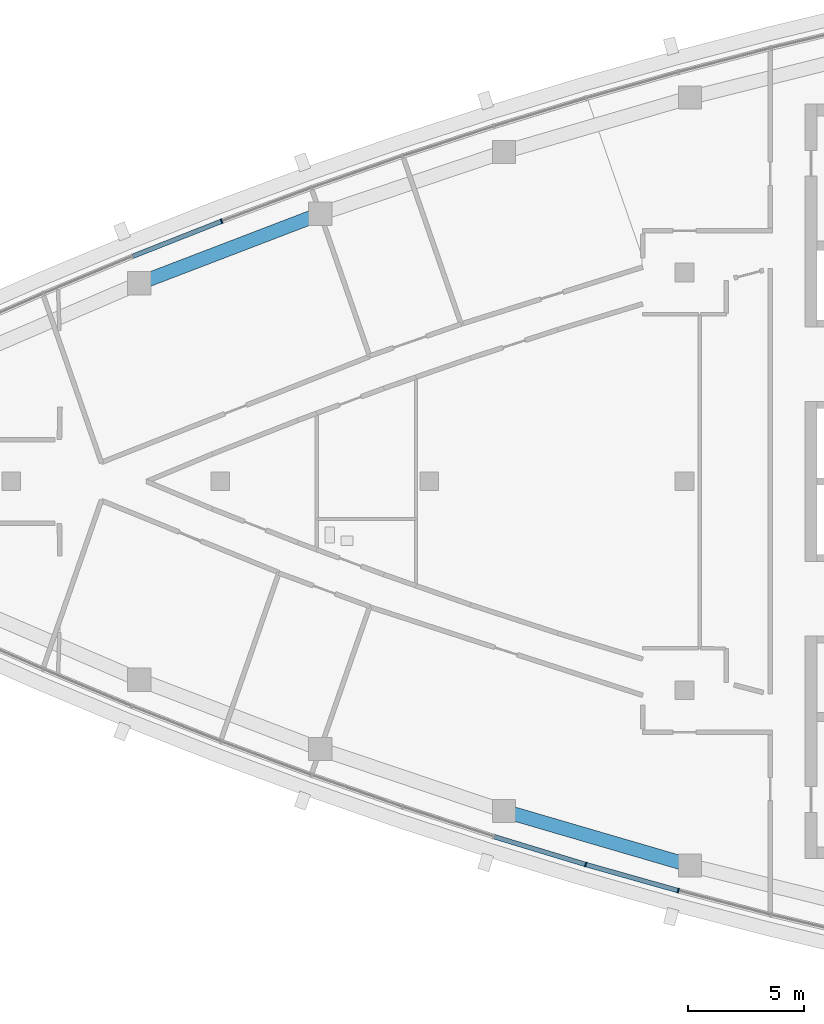
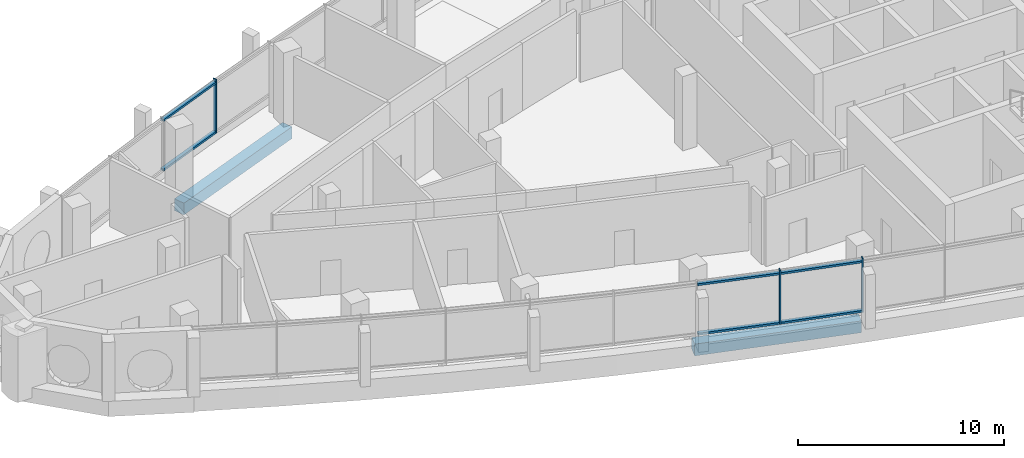
# One storey, part 3 of 15: 9 members, 2 beams, 2 elements without a shape of their own.
"""IFC4 building model written with IfcOpenShell, lengths in metres."""

from ifc_helpers import new_model, si_unit, direction, frame, origin, origin_2d, place, context, subcontext, project, spatial, rectangle, extrude, material, layer, layer_set, material_profile, profile_set, type_object, element, aggregate, save


model = new_model("IFC4")

# Units and contexts
model_context = context("Model", 3, precision=1e-05, world=origin(), true_north=direction((0.0, 1.0)))
body_context = subcontext(model_context, "Body", "Model", "MODEL_VIEW")
ifc_project = project(units=[si_unit("LENGTHUNIT", "METRE"), si_unit("AREAUNIT", "SQUARE_METRE"), si_unit("VOLUMEUNIT", "CUBIC_METRE"), si_unit("PLANEANGLEUNIT", "RADIAN"), si_unit("MASSUNIT", "GRAM", prefix="KILO")], contexts=[model_context])

# Site, building, storey
site_placement = place(None, origin())
site = spatial("IfcSite", under=ifc_project, at=site_placement, CompositionType="ELEMENT")
building_placement = place(site_placement, origin())
building = spatial("IfcBuilding", under=site, at=building_placement, Name="Ostrand Prow Hotel Tower", CompositionType="ELEMENT")
storey_placement = place(building_placement, frame((0.0, 0.0, 318.60009765625)))
storey = spatial("IfcBuildingStorey", under=building, at=storey_placement, Name="C3", CompositionType="ELEMENT", Elevation=318.60009765625)

# Beams
ifc_material_1 = material(Name="Concrete C40/50", Category="concrete")
ifc_material_profile_1 = material_profile(ifc_material_1, rectangle(XDim=0.60009765625, YDim=0.699951171875, at=origin_2d()), Name="RC 600x700")
ifc_profile_set_1 = profile_set([ifc_material_profile_1], Name="Concrete C40/50")
beam_type = type_object("IfcBeamType", Name="Edge beam 600x700 C40/50", PredefinedType="SPANDREL", material=ifc_profile_set_1)
for number, where, z_axis, x_axis, name in (
    (1, (37.22119140625, -14.19580078125, -0.650146484375), (0.959821966031, -0.280609681809, 0.0), (0.280609681809, 0.959821966031, 0.0), "Edge beam S4-S5"),
    (2, (29.31005859375, 11.528076171875, -0.650146484375), (-0.933761753797, -0.357895218111, 0.0), (0.357895218111, -0.933761753797, 0.0), "Edge beam N4-N5"),
):
    element("IfcBeam", number, at=place(storey_placement, frame(where, z_axis=z_axis, x_axis=x_axis)), inside=storey, type_object=beam_type, Name=name, PredefinedType="SPANDREL", context=body_context, shape_type="SweptSolid", body=[
        extrude(rectangle(XDim=0.60009765625, YDim=0.699951171875, at=origin_2d()), origin(), (0.0, 0.0, 1.0), 8.348876953125),
    ])

# Curtain wall, members
ifc_material_2 = material(Name="Insulated glass in bronze anodised frame", Category="glass")
ifc_layer = layer(ifc_material_2, 0.199951171875)
ifc_layer_set = layer_set([ifc_layer], Name="Insulated glass in bronze anodised frame")
curtain_wall_type = type_object("IfcCurtainWallType", Name="Sky lobby full-height curtain wall", PredefinedType="NOTDEFINED", material=ifc_layer_set)
curtain_wall_1_placement = place(storey_placement, origin())
curtain_wall_1 = element("IfcCurtainWall", 3, at=curtain_wall_1_placement, inside=storey, type_object=curtain_wall_type, Name="CW3 run CWS4", PredefinedType="NOTDEFINED")
ifc_material_3 = material(Name="Bronze anodised aluminium", Category="aluminium")
ifc_material_profile_2 = material_profile(ifc_material_3, rectangle(XDim=0.199951171875, YDim=0.06005859375, at=origin_2d()), Name="Mullion 60x200 bronze anodised aluminium")
ifc_profile_set_2 = profile_set([ifc_material_profile_2], Name="Bronze anodised aluminium")
member_type_1 = type_object("IfcMemberType", Name="Mullion 60x200 bronze anodised aluminium", PredefinedType="MULLION", material=ifc_profile_set_2)
member_1_placement = place(storey_placement, frame((40.744384765625, -16.502197265625, 0.89990234375), z_axis=(0.0, 0.0, 1.0), x_axis=(0.271648738865, 0.962396468548, 0.0)))
member_1 = element("IfcMember", 4, at=member_1_placement, type_object=member_type_1, Name="CW3 mullion 2", PredefinedType="MULLION", context=body_context, shape_type="SweptSolid", body=[
    extrude(rectangle(XDim=0.199951171875, YDim=0.06005859375, at=origin_2d()), origin(), (0.0, 0.0, 1.0), 3.199951171875),
])
member_2_placement = place(storey_placement, frame((44.728515625, -17.626708984375, 0.89990234375), z_axis=(0.0, 0.0, 1.0), x_axis=(0.271648738865, 0.962396468548, 0.0)))
member_2 = element("IfcMember", 5, at=member_2_placement, type_object=member_type_1, Name="CW3 mullion 3", PredefinedType="MULLION", context=body_context, shape_type="SweptSolid", body=[
    extrude(rectangle(XDim=0.199951171875, YDim=0.06005859375, at=origin_2d()), origin(), (0.0, 0.0, 1.0), 3.199951171875),
])

# Curtain wall, member
curtain_wall_2_placement = place(storey_placement, origin())
curtain_wall_2 = element("IfcCurtainWall", 6, at=curtain_wall_2_placement, inside=storey, type_object=curtain_wall_type, Name="CW3 run CWN4", PredefinedType="NOTDEFINED")
member_3_placement = place(storey_placement, frame((25.05810546875, 11.210205078125, 0.89990234375), z_axis=(0.0, 0.0, 1.0), x_axis=(0.366845465248, -0.930281895249, 0.0)))
member_3 = element("IfcMember", 7, at=member_3_placement, type_object=member_type_1, Name="CW3 mullion 2", PredefinedType="MULLION", context=body_context, shape_type="SweptSolid", body=[
    extrude(rectangle(XDim=0.199951171875, YDim=0.06005859375, at=origin_2d()), origin(), (0.0, 0.0, 1.0), 3.199951171875),
])

# Member
ifc_material_4 = material(Name="Bronze anodised aluminium", Category="aluminium")
ifc_material_profile_3 = material_profile(ifc_material_4, rectangle(XDim=0.199951171875, YDim=0.1201171875, at=origin_2d()), Name="Transom 120x200 bronze anodised aluminium")
ifc_profile_set_3 = profile_set([ifc_material_profile_3], Name="Bronze anodised aluminium")
member_type_2 = type_object("IfcMemberType", Name="Transom 120x200 bronze anodised aluminium", PredefinedType="USERDEFINED", material=ifc_profile_set_3)
member_4_placement = place(storey_placement, frame((36.8125, -15.306396484375, 0.9599609375), z_axis=(0.956739081124, -0.290947298751, 0.0), x_axis=(0.290947298751, 0.956739081124, 0.0)))
member_4 = element("IfcMember", 8, at=member_4_placement, type_object=member_type_2, Name="CW3 transom 1.1", ObjectType="TRANSOM", PredefinedType="USERDEFINED", context=body_context, shape_type="SweptSolid", body=[
    extrude(rectangle(XDim=0.199951171875, YDim=0.1201171875, at=origin_2d()), origin(), (0.0, 0.0, 1.0), 4.079833984375),
])

member_5_placement = place(storey_placement, frame((36.8125, -15.306396484375, 3.89990234375), z_axis=(0.956739081124, -0.290947298751, 0.0), x_axis=(0.290947298751, 0.956739081124, 0.0)))
member_5 = element("IfcMember", 9, at=member_5_placement, type_object=member_type_2, Name="CW3 transom 1.2", ObjectType="TRANSOM", PredefinedType="USERDEFINED", context=body_context, shape_type="SweptSolid", body=[
    extrude(rectangle(XDim=0.199951171875, YDim=0.1201171875, at=origin_2d()), origin(), (0.0, 0.0, 1.0), 4.079833984375),
])

member_6_placement = place(storey_placement, frame((40.7734375, -16.51025390625, 0.9599609375), z_axis=(0.962386308628, -0.271684730828, 0.0), x_axis=(0.271684730828, 0.962386308628, 0.0)))
member_6 = element("IfcMember", 10, at=member_6_placement, type_object=member_type_2, Name="CW3 transom 2.1", ObjectType="TRANSOM", PredefinedType="USERDEFINED", context=body_context, shape_type="SweptSolid", body=[
    extrude(rectangle(XDim=0.199951171875, YDim=0.1201171875, at=origin_2d()), origin(), (0.0, 0.0, 1.0), 4.079833984375),
])

member_7_placement = place(storey_placement, frame((40.7734375, -16.51025390625, 3.89990234375), z_axis=(0.962386308628, -0.271684730828, 0.0), x_axis=(0.271684730828, 0.962386308628, 0.0)))
member_7 = element("IfcMember", 11, at=member_7_placement, type_object=member_type_2, Name="CW3 transom 2.2", ObjectType="TRANSOM", PredefinedType="USERDEFINED", context=body_context, shape_type="SweptSolid", body=[
    extrude(rectangle(XDim=0.199951171875, YDim=0.1201171875, at=origin_2d()), origin(), (0.0, 0.0, 1.0), 4.079833984375),
])

aggregate(curtain_wall_1, [member_1, member_2, member_4, member_5, member_6, member_7])

member_8_placement = place(storey_placement, frame((25.0302734375, 11.19921875, 0.9599609375), z_axis=(-0.930289613186, -0.366825892759, 0.0), x_axis=(0.366825892759, -0.930289613186, 0.0)))
member_8 = element("IfcMember", 12, at=member_8_placement, type_object=member_type_2, Name="CW3 transom 2.1", ObjectType="TRANSOM", PredefinedType="USERDEFINED", context=body_context, shape_type="SweptSolid", body=[
    extrude(rectangle(XDim=0.199951171875, YDim=0.1201171875, at=origin_2d()), origin(), (0.0, 0.0, 1.0), 4.079833984375),
])

member_9_placement = place(storey_placement, frame((25.0302734375, 11.19921875, 3.89990234375), z_axis=(-0.930289613186, -0.366825892759, 0.0), x_axis=(0.366825892759, -0.930289613186, 0.0)))
member_9 = element("IfcMember", 13, at=member_9_placement, type_object=member_type_2, Name="CW3 transom 2.2", ObjectType="TRANSOM", PredefinedType="USERDEFINED", context=body_context, shape_type="SweptSolid", body=[
    extrude(rectangle(XDim=0.199951171875, YDim=0.1201171875, at=origin_2d()), origin(), (0.0, 0.0, 1.0), 4.079833984375),
])

aggregate(curtain_wall_2, [member_3, member_8, member_9])

save(model, "model.ifc")
